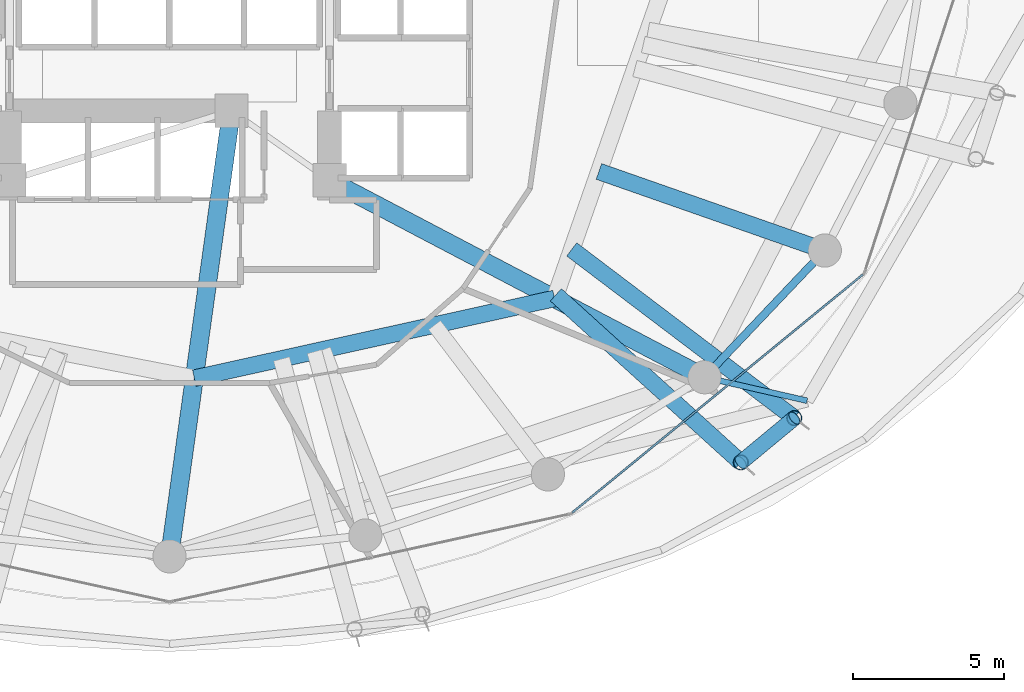
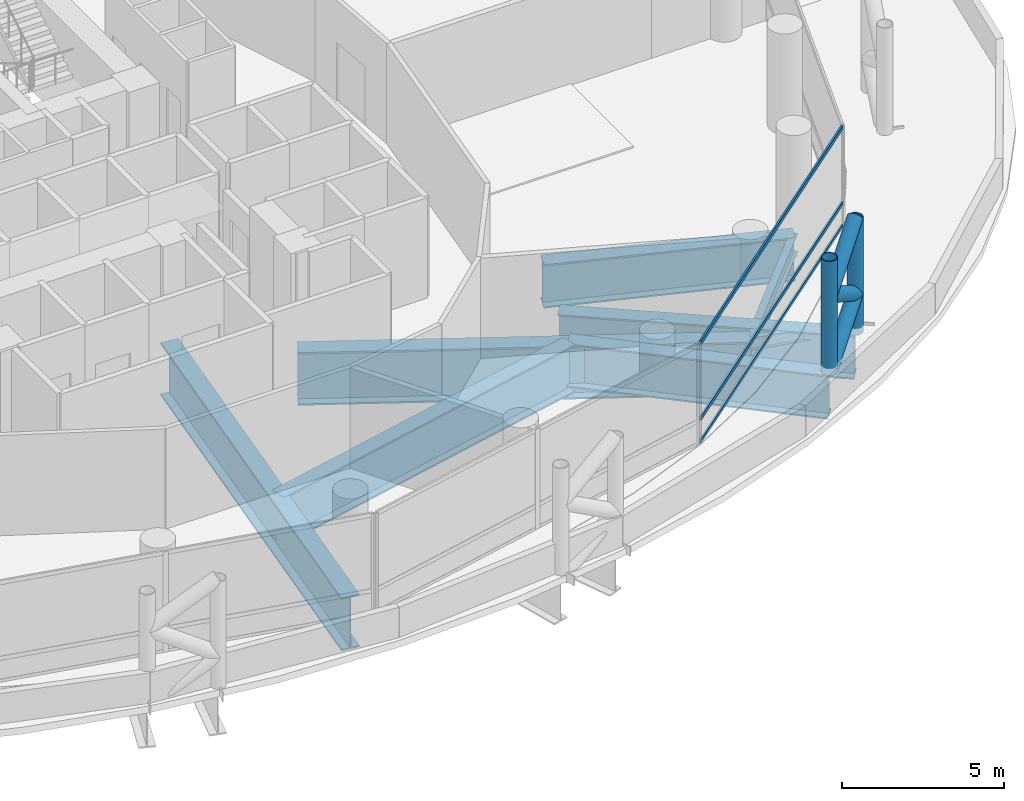
# One storey, part 13 of 37: 8 beams, 8 members, 1 element without a shape of its own.
"""IFC4 building model written with IfcOpenShell, lengths in metres."""

from ifc_helpers import new_model, si_unit, direction, frame, origin, origin_2d, place, context, subcontext, project, spatial, hollow_rectangle, hollow_circle, i_section, extrude, material, layer, layer_set, material_profile, profile_set, type_object, element, aggregate, save


model = new_model("IFC4")

# Units and contexts
model_context = context("Model", 3, precision=1e-05, world=origin(), true_north=direction((0.0, 1.0)))
body_context = subcontext(model_context, "Body", "Model", "MODEL_VIEW")
ifc_project = project(units=[si_unit("LENGTHUNIT", "METRE"), si_unit("AREAUNIT", "SQUARE_METRE"), si_unit("VOLUMEUNIT", "CUBIC_METRE"), si_unit("PLANEANGLEUNIT", "RADIAN"), si_unit("MASSUNIT", "GRAM", prefix="KILO")], contexts=[model_context])

# Site, building, storey
site_placement = place(None, origin())
site = spatial("IfcSite", under=ifc_project, at=site_placement, CompositionType="ELEMENT")
building_placement = place(site_placement, origin())
building = spatial("IfcBuilding", under=site, at=building_placement, Name="Nuhasar Tower", CompositionType="ELEMENT")
storey_placement = place(building_placement, frame((0.0, 0.0, 21.0)))
storey = spatial("IfcBuildingStorey", under=building, at=storey_placement, Name="L04", CompositionType="ELEMENT", Elevation=21.0)

# Beams
ifc_material_1 = material(Name="Steel S355", Category="steel")
ifc_material_profile_1 = material_profile(ifc_material_1, i_section(OverallWidth=0.18994140625, OverallDepth=0.45703125, WebThickness=0.009033203125, FlangeThickness=0.014404296875, at=origin_2d()), Name="W18X50")
ifc_profile_set_1 = profile_set([ifc_material_profile_1], Name="Steel S355")
beam_type_1 = type_object("IfcBeamType", Name="BM-RAD-W18X50", PredefinedType="BEAM", material=ifc_profile_set_1)
beam_1_placement = place(storey_placement, frame((56.712890625, 12.48095703125, -0.489013671875), z_axis=(0.974715141502, -0.223451097394, 0.0), x_axis=(0.223451097394, 0.974715141502, 0.0)))
element("IfcBeam", 1, at=beam_1_placement, inside=storey, type_object=beam_type_1, Name="L04 Podium Radial Girder 03", PredefinedType="BEAM", context=body_context, shape_type="SweptSolid", body=[
    extrude(i_section(OverallWidth=0.18994140625, OverallDepth=0.45703125, WebThickness=0.009033203125, FlangeThickness=0.014404296875, at=origin_2d()), origin(), (0.0, 0.0, 1.0), 3.482177734375),
])
ifc_material_profile_2 = material_profile(ifc_material_1, i_section(OverallWidth=0.256103515625, OverallDepth=0.693115234375, WebThickness=0.014404296875, FlangeThickness=0.023681640625, at=origin_2d()), Name="W27X114")
ifc_profile_set_2 = profile_set([ifc_material_profile_2], Name="Steel S355")
beam_type_2 = type_object("IfcBeamType", Name="BM-RING-W27X114", PredefinedType="SPANDREL", material=ifc_profile_set_2)
beam_2_placement = place(storey_placement, frame((56.712890625, 12.48095703125, -0.60693359375), z_axis=(0.688459812429, 0.725274490569, 0.0), x_axis=(-0.725274490569, 0.688459812429, 0.0)))
element("IfcBeam", 2, at=beam_2_placement, inside=storey, type_object=beam_type_2, Name="L04 Perimeter Ring Spandrel 22", PredefinedType="SPANDREL", context=body_context, shape_type="SweptSolid", body=[
    extrude(i_section(OverallWidth=0.256103515625, OverallDepth=0.693115234375, WebThickness=0.014404296875, FlangeThickness=0.023681640625, at=origin_2d()), origin(), (0.0, 0.0, 1.0), 5.78271484375),
])
ifc_material_2 = material(Name="Steel S460", Category="steel")
ifc_material_profile_3 = material_profile(ifc_material_2, i_section(OverallWidth=0.550048828125, OverallDepth=1.64990234375, WebThickness=0.031982421875, FlangeThickness=0.054931640625, at=origin_2d()), Name="PG1650X550")
ifc_profile_set_3 = profile_set([ifc_material_profile_3], Name="Steel S460")
beam_type_3 = type_object("IfcBeamType", Name="BM-XFER-PG1650", PredefinedType="USERDEFINED", material=ifc_profile_set_3)
beam_3_placement = place(storey_placement, frame((53.215087890625, 19.29296875, -1.0849609375), z_axis=(0.943847788374, -0.330380617442, 0.0), x_axis=(0.330380617442, 0.943847788374, 0.0)))
element("IfcBeam", 3, at=beam_3_placement, inside=storey, type_object=beam_type_3, Name="L04 Inner Column Transfer Girder 23", ObjectType="GIRDER", PredefinedType="USERDEFINED", context=body_context, shape_type="SweptSolid", body=[
    extrude(i_section(OverallWidth=0.550048828125, OverallDepth=1.64990234375, WebThickness=0.031982421875, FlangeThickness=0.054931640625, at=origin_2d()), origin(), (0.0, 0.0, 1.0), 7.924072265625),
])
beam_4_placement = place(storey_placement, frame((51.7900390625, 15.2099609375, -1.0849609375), z_axis=(0.740983276148, -0.671523480206, 0.0), x_axis=(0.671523480206, 0.740983276148, 0.0)))
element("IfcBeam", 4, at=beam_4_placement, inside=storey, type_object=beam_type_3, Name="L04 Exoskeleton Base Transfer Girder 21", ObjectType="GIRDER", PredefinedType="USERDEFINED", context=body_context, shape_type="SweptSolid", body=[
    extrude(i_section(OverallWidth=0.550048828125, OverallDepth=1.64990234375, WebThickness=0.031982421875, FlangeThickness=0.054931640625, at=origin_2d()), origin(), (0.0, 0.0, 1.0), 8.263427734375),
])
beam_5_placement = place(storey_placement, frame((52.31494140625, 16.712890625, -1.0849609375), z_axis=(0.79706287868, -0.603896321756, 0.0), x_axis=(0.603896321756, 0.79706287868, 0.0)))
element("IfcBeam", 5, at=beam_5_placement, inside=storey, type_object=beam_type_3, Name="L04 Exoskeleton Base Transfer Girder 22", ObjectType="GIRDER", PredefinedType="USERDEFINED", context=body_context, shape_type="SweptSolid", body=[
    extrude(i_section(OverallWidth=0.550048828125, OverallDepth=1.64990234375, WebThickness=0.031982421875, FlangeThickness=0.054931640625, at=origin_2d()), origin(), (0.0, 0.0, 1.0), 9.24658203125),
])
ifc_material_profile_4 = material_profile(ifc_material_2, i_section(OverallWidth=0.550048828125, OverallDepth=1.800048828125, WebThickness=0.031982421875, FlangeThickness=0.054931640625, at=origin_2d()), Name="PG1800X550")
ifc_profile_set_4 = profile_set([ifc_material_profile_4], Name="Steel S460")
beam_type_4 = type_object("IfcBeamType", Name="BM-XFER-PG1800", PredefinedType="USERDEFINED", material=ifc_profile_set_4)
beam_6_placement = place(storey_placement, frame((39.820068359375, 12.449951171875, -1.159912109375), z_axis=(0.976386023343, 0.216033176665, 0.0), x_axis=(-0.216033176665, 0.976386023343, 0.0)))
element("IfcBeam", 6, at=beam_6_placement, inside=storey, type_object=beam_type_4, Name="L04 Inner Header Beam 02", ObjectType="GIRDER", PredefinedType="USERDEFINED", context=body_context, shape_type="SweptSolid", body=[
    extrude(i_section(OverallWidth=0.550048828125, OverallDepth=1.800048828125, WebThickness=0.031982421875, FlangeThickness=0.054931640625, at=origin_2d()), origin(), (0.0, 0.0, 1.0), 12.216552734375),
])
ifc_material_profile_5 = material_profile(ifc_material_2, i_section(OverallWidth=0.60009765625, OverallDepth=2.0, WebThickness=0.035888671875, FlangeThickness=0.06005859375, at=origin_2d()), Name="PG2000X600")
ifc_profile_set_5 = profile_set([ifc_material_profile_5], Name="Steel S460")
beam_type_5 = type_object("IfcBeamType", Name="BM-XFER-PG2000", PredefinedType="USERDEFINED", material=ifc_profile_set_5)
beam_7_placement = place(storey_placement, frame((41.050048828125, 21.300048828125, -1.260009765625), z_axis=(-0.137663087856, -0.990479113481, 0.0), x_axis=(0.990479113481, -0.137663087856, 0.0)))
element("IfcBeam", 7, at=beam_7_placement, inside=storey, type_object=beam_type_5, Name="L04 Radial Floor Girder 02", ObjectType="GIRDER", PredefinedType="USERDEFINED", context=body_context, shape_type="SweptSolid", body=[
    extrude(i_section(OverallWidth=0.60009765625, OverallDepth=2.0, WebThickness=0.035888671875, FlangeThickness=0.06005859375, at=origin_2d()), origin(), (0.0, 0.0, 1.0), 14.891845703125),
])
beam_8_placement = place(storey_placement, frame((44.300048828125, 19.0, -1.260009765625), z_axis=(0.885330348705, -0.464962550816, 0.0), x_axis=(0.464962550816, 0.885330348705, 0.0)))
element("IfcBeam", 8, at=beam_8_placement, inside=storey, type_object=beam_type_5, Name="L04 Radial Floor Girder 03", ObjectType="GIRDER", PredefinedType="USERDEFINED", context=body_context, shape_type="SweptSolid", body=[
    extrude(i_section(OverallWidth=0.60009765625, OverallDepth=2.0, WebThickness=0.035888671875, FlangeThickness=0.06005859375, at=origin_2d()), origin(), (0.0, 0.0, 1.0), 14.0205078125),
])

# Curtain wall, members
ifc_material_3 = material(Name="Aluminium 6063-T6", Category="aluminium")
ifc_layer = layer(ifc_material_3, 0.199951171875)
ifc_layer_set = layer_set([ifc_layer], Name="Aluminium 6063-T6")
curtain_wall_type = type_object("IfcCurtainWallType", Name="CW-Z1-OFF", PredefinedType="NOTDEFINED", material=ifc_layer_set)
curtain_wall_placement = place(storey_placement, origin())
curtain_wall = element("IfcCurtainWall", 9, at=curtain_wall_placement, inside=storey, type_object=curtain_wall_type, Name="L04 Unitised Curtain Wall 11", PredefinedType="NOTDEFINED")
ifc_material_profile_6 = material_profile(ifc_material_3, hollow_rectangle(XDim=0.06494140625, YDim=0.14990234375, WallThickness=0.00439453125, at=origin_2d()), Name="CWT-2")
ifc_profile_set_6 = profile_set([ifc_material_profile_6], Name="Aluminium 6063-T6")
member_type_1 = type_object("IfcMemberType", Name="CW-TRN-S2", PredefinedType="USERDEFINED", material=ifc_profile_set_6)
member_1_placement = place(storey_placement, frame((52.330322265625, 7.99609375, 0.032470703125), z_axis=(0.773531229158, 0.633758185365, 0.0), x_axis=(-0.633758185365, 0.773531229158, 0.0)))
member_1 = element("IfcMember", 10, at=member_1_placement, type_object=member_type_1, Name="CW-Z1 transom 1.1", ObjectType="TRANSOM", PredefinedType="USERDEFINED", context=body_context, shape_type="SweptSolid", body=[
    extrude(hollow_rectangle(XDim=0.06494140625, YDim=0.14990234375, WallThickness=0.00439453125, at=origin_2d()), origin(), (0.0, 0.0, 1.0), 12.438232421875),
])
member_2_placement = place(storey_placement, frame((52.330322265625, 7.99609375, 0.89990234375), z_axis=(0.773531229158, 0.633758185365, 0.0), x_axis=(-0.633758185365, 0.773531229158, 0.0)))
member_2 = element("IfcMember", 11, at=member_2_placement, type_object=member_type_1, Name="CW-Z1 transom 1.2", ObjectType="TRANSOM", PredefinedType="USERDEFINED", context=body_context, shape_type="SweptSolid", body=[
    extrude(hollow_rectangle(XDim=0.06494140625, YDim=0.14990234375, WallThickness=0.00439453125, at=origin_2d()), origin(), (0.0, 0.0, 1.0), 12.438232421875),
])
member_3_placement = place(storey_placement, frame((52.330322265625, 7.99609375, 3.757568359375), z_axis=(0.773531229158, 0.633758185365, 0.0), x_axis=(-0.633758185365, 0.773531229158, 0.0)))
member_3 = element("IfcMember", 12, at=member_3_placement, type_object=member_type_1, Name="CW-Z1 transom 1.3", ObjectType="TRANSOM", PredefinedType="USERDEFINED", context=body_context, shape_type="SweptSolid", body=[
    extrude(hollow_rectangle(XDim=0.06494140625, YDim=0.14990234375, WallThickness=0.00439453125, at=origin_2d()), origin(), (0.0, 0.0, 1.0), 12.438232421875),
])
aggregate(curtain_wall, [member_1, member_2, member_3])

# Members
ifc_material_profile_7 = material_profile(ifc_material_2, hollow_circle(Radius=0.25390625, WallThickness=0.025390625, at=origin_2d()), Name="HSS508X25.4")
ifc_profile_set_7 = profile_set([ifc_material_profile_7], Name="Steel S460")
member_type_2 = type_object("IfcMemberType", Name="EXO-BRONZE-508", PredefinedType="BRACE", material=ifc_profile_set_7)
for number, where, z_axis, x_axis, name in (
    (13, (57.9130859375, 9.660888671875, -0.260009765625), (0.0, 0.0, 1.0), (1.0, 0.0, 0.0), "L04 Exoskeleton Chord Column EC-11A"),
    (14, (59.68505859375, 11.12890625, -0.260009765625), (0.0, 0.0, 1.0), (1.0, 0.0, 0.0), "L04 Exoskeleton Chord Column EC-11B"),
):
    element("IfcMember", number, at=place(storey_placement, frame(where, z_axis=z_axis, x_axis=x_axis)), inside=storey, type_object=member_type_2, Name=name, PredefinedType="BRACE", context=body_context, shape_type="SweptSolid", body=[
        extrude(hollow_circle(Radius=0.25390625, WallThickness=0.025390625, at=origin_2d()), origin(), (0.0, 0.0, 1.0), 4.31005859375),
    ])
member_4_placement = place(storey_placement, frame((57.9130859375, 9.660888671875, -0.260009765625), z_axis=(0.653159322717, 0.541119730986, 0.529690792713), x_axis=(-0.637969333506, 0.770061769929, 0.0)))
element("IfcMember", 15, at=member_4_placement, inside=storey, type_object=member_type_2, Name="L04 Bronze Diagrid Brace W1-11", PredefinedType="BRACE", context=body_context, shape_type="SweptSolid", body=[
    extrude(hollow_circle(Radius=0.25390625, WallThickness=0.025390625, at=origin_2d()), origin(), (0.0, 0.0, 1.0), 2.712890625),
])
member_5_placement = place(storey_placement, frame((59.68505859375, 11.12890625, 1.177001953125), z_axis=(-0.653283854529, -0.541222901252, 0.529431748738), x_axis=(0.637969333506, -0.770061769929, 0.0)))
element("IfcMember", 16, at=member_5_placement, inside=storey, type_object=member_type_2, Name="L04 Bronze Diagrid Brace W2-11", PredefinedType="BRACE", context=body_context, shape_type="SweptSolid", body=[
    extrude(hollow_circle(Radius=0.25390625, WallThickness=0.025390625, at=origin_2d()), origin(), (0.0, 0.0, 1.0), 2.71240234375),
])
member_6_placement = place(storey_placement, frame((57.9130859375, 9.660888671875, 2.613037109375), z_axis=(0.653159322717, 0.541119730986, 0.529690792713), x_axis=(-0.637969333506, 0.770061769929, 0.0)))
element("IfcMember", 17, at=member_6_placement, inside=storey, type_object=member_type_2, Name="L04 Bronze Diagrid Brace W3-11", PredefinedType="BRACE", context=body_context, shape_type="SweptSolid", body=[
    extrude(hollow_circle(Radius=0.25390625, WallThickness=0.025390625, at=origin_2d()), origin(), (0.0, 0.0, 1.0), 2.712890625),
])

save(model, "model.ifc")
